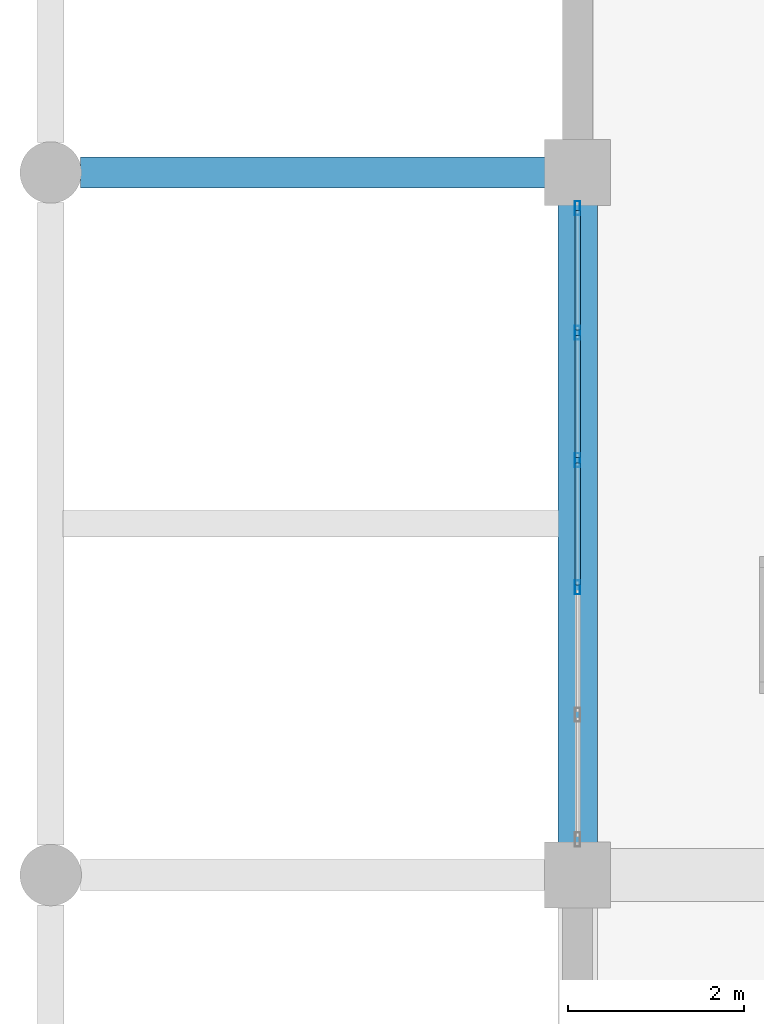
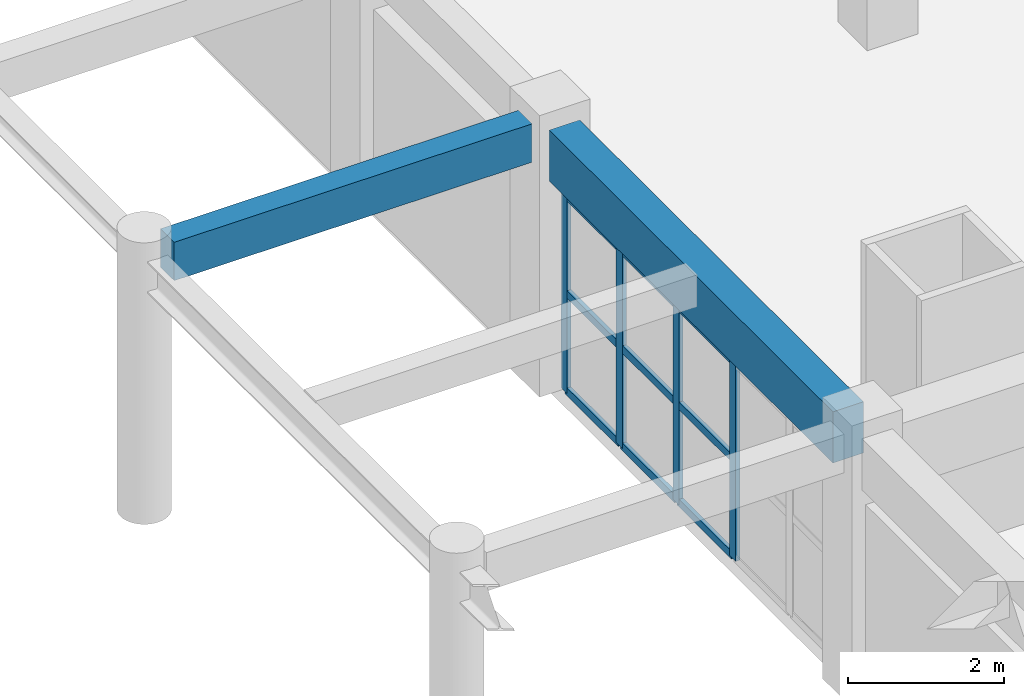
# One storey, part 6 of 116: 13 members, 2 beams, 1 element without a shape of its own.
"""IFC4 building model written with IfcOpenShell, lengths in metres."""

from ifc_helpers import new_model, si_unit, direction, frame, origin, origin_2d, place, context, subcontext, project, spatial, rectangle, hollow_rectangle, extrude, material, layer, layer_set, material_profile, profile_set, type_object, element, aggregate, save


model = new_model("IFC4")

# Units and contexts
model_context = context("Model", 3, precision=1e-05, world=origin(), true_north=direction((0.0, 1.0)))
body_context = subcontext(model_context, "Body", "Model", "MODEL_VIEW")
ifc_project = project(units=[si_unit("LENGTHUNIT", "METRE"), si_unit("AREAUNIT", "SQUARE_METRE"), si_unit("VOLUMEUNIT", "CUBIC_METRE"), si_unit("PLANEANGLEUNIT", "RADIAN"), si_unit("MASSUNIT", "GRAM", prefix="KILO")], contexts=[model_context])

# Site, building, storey
site_placement = place(None, origin())
site = spatial("IfcSite", under=ifc_project, at=site_placement, CompositionType="ELEMENT")
building_placement = place(site_placement, origin())
building = spatial("IfcBuilding", under=site, at=building_placement, Name="Muzn Square Opera House", CompositionType="ELEMENT")
storey_placement = place(building_placement, frame((0.0, 0.0, 5.39990234375)))
storey = spatial("IfcBuildingStorey", under=building, at=storey_placement, Name="L01", CompositionType="ELEMENT", Elevation=5.39990234375)

# Curtain wall, members
ifc_material_1 = material(Name="Low-E laminated acoustic double glazing", Category="glass")
ifc_layer = layer(ifc_material_1, 0.159912109375, Name="Low-E laminated acoustic double glazing", Category="glass")
ifc_layer_set = layer_set([ifc_layer], Name="Low-E laminated acoustic double glazing")
curtain_wall_type = type_object("IfcCurtainWallType", Name="Glazed Curtain Wall WestBlvd 7250x3100", PredefinedType="USERDEFINED", material=ifc_layer_set)
curtain_wall_placement = place(storey_placement, origin())
curtain_wall = element("IfcCurtainWall", 1, at=curtain_wall_placement, inside=storey, type_object=curtain_wall_type, Name="Glazed Curtain Wall CW-L01-139", ObjectType="GLAZED CURTAIN WALL", PredefinedType="USERDEFINED")
ifc_material_2 = material(Name="Anodised bronze aluminium 6063-T6", Category="metal")
ifc_material_profile_1 = material_profile(ifc_material_2, hollow_rectangle(XDim=0.06005859375, YDim=0.159912109375, WallThickness=0.00390625, at=origin_2d()), Name="ALU 160x60x4", Category="metal")
ifc_profile_set_1 = profile_set([ifc_material_profile_1], Name="Anodised bronze aluminium 6063-T6")
member_type_1 = type_object("IfcMemberType", Name="Curtain Wall Mullion 160x60", PredefinedType="MULLION", material=ifc_profile_set_1)
member_1_placement = place(storey_placement, frame((6.0, 17.27490234375, 0.0), z_axis=(0.0, 0.0, 1.0), x_axis=(-1.0, 0.0, 0.0)))
member_1 = element("IfcMember", 2, at=member_1_placement, type_object=member_type_1, Name="CW-WBL-72x31 mullion 3", PredefinedType="MULLION", context=body_context, shape_type="SweptSolid", body=[
    extrude(hollow_rectangle(XDim=0.06005859375, YDim=0.159912109375, WallThickness=0.00390625, at=origin_2d()), origin(), (0.0, 0.0, 1.0), 3.10009765625),
])
member_2_placement = place(storey_placement, frame((6.0, 18.72509765625, 0.0), z_axis=(0.0, 0.0, 1.0), x_axis=(-1.0, 0.0, 0.0)))
member_2 = element("IfcMember", 3, at=member_2_placement, type_object=member_type_1, Name="CW-WBL-72x31 mullion 4", PredefinedType="MULLION", context=body_context, shape_type="SweptSolid", body=[
    extrude(hollow_rectangle(XDim=0.06005859375, YDim=0.159912109375, WallThickness=0.00390625, at=origin_2d()), origin(), (0.0, 0.0, 1.0), 3.10009765625),
])
member_3_placement = place(storey_placement, frame((6.0, 20.175048828125, 0.0), z_axis=(0.0, 0.0, 1.0), x_axis=(-1.0, 0.0, 0.0)))
member_3 = element("IfcMember", 4, at=member_3_placement, type_object=member_type_1, Name="CW-WBL-72x31 mullion 5", PredefinedType="MULLION", context=body_context, shape_type="SweptSolid", body=[
    extrude(hollow_rectangle(XDim=0.06005859375, YDim=0.159912109375, WallThickness=0.00390625, at=origin_2d()), origin(), (0.0, 0.0, 1.0), 3.10009765625),
])
member_4_placement = place(storey_placement, frame((6.0, 21.594970703125, 0.0), z_axis=(0.0, 0.0, 1.0), x_axis=(-1.0, 0.0, 0.0)))
member_4 = element("IfcMember", 5, at=member_4_placement, type_object=member_type_1, Name="CW-WBL-72x31 mullion 6", PredefinedType="MULLION", context=body_context, shape_type="SweptSolid", body=[
    extrude(hollow_rectangle(XDim=0.06005859375, YDim=0.159912109375, WallThickness=0.00390625, at=origin_2d()), origin(), (0.0, 0.0, 1.0), 3.10009765625),
])
ifc_material_profile_2 = material_profile(ifc_material_2, hollow_rectangle(XDim=0.06005859375, YDim=0.1201171875, WallThickness=0.00390625, at=origin_2d()), Name="ALU 120x60x4", Category="metal")
ifc_profile_set_2 = profile_set([ifc_material_profile_2], Name="Anodised bronze aluminium 6063-T6")
member_type_2 = type_object("IfcMemberType", Name="Curtain Wall Transom 120x60", PredefinedType="USERDEFINED", material=ifc_profile_set_2)
member_5_placement = place(storey_placement, frame((6.0, 17.304931640625, 0.030029296875), z_axis=(0.0, 1.0, 0.0), x_axis=(-1.0, 0.0, 0.0)))
member_5 = element("IfcMember", 6, at=member_5_placement, type_object=member_type_2, Name="CW-WBL-72x31 transom 3.1", ObjectType="TRANSOM", PredefinedType="USERDEFINED", context=body_context, shape_type="SweptSolid", body=[
    extrude(hollow_rectangle(XDim=0.06005859375, YDim=0.1201171875, WallThickness=0.00390625, at=origin_2d()), origin(), (0.0, 0.0, 1.0), 1.39013671875),
])
member_6_placement = place(storey_placement, frame((6.0, 17.304931640625, 1.550048828125), z_axis=(0.0, 1.0, 0.0), x_axis=(-1.0, 0.0, 0.0)))
member_6 = element("IfcMember", 7, at=member_6_placement, type_object=member_type_2, Name="CW-WBL-72x31 transom 3.2", ObjectType="TRANSOM", PredefinedType="USERDEFINED", context=body_context, shape_type="SweptSolid", body=[
    extrude(hollow_rectangle(XDim=0.06005859375, YDim=0.1201171875, WallThickness=0.00390625, at=origin_2d()), origin(), (0.0, 0.0, 1.0), 1.39013671875),
])
member_7_placement = place(storey_placement, frame((6.0, 17.304931640625, 3.070068359375), z_axis=(0.0, 1.0, 0.0), x_axis=(-1.0, 0.0, 0.0)))
member_7 = element("IfcMember", 8, at=member_7_placement, type_object=member_type_2, Name="CW-WBL-72x31 transom 3.3", ObjectType="TRANSOM", PredefinedType="USERDEFINED", context=body_context, shape_type="SweptSolid", body=[
    extrude(hollow_rectangle(XDim=0.06005859375, YDim=0.1201171875, WallThickness=0.00390625, at=origin_2d()), origin(), (0.0, 0.0, 1.0), 1.39013671875),
])
member_8_placement = place(storey_placement, frame((6.0, 18.7548828125, 0.030029296875), z_axis=(0.0, 1.0, 0.0), x_axis=(-1.0, 0.0, 0.0)))
member_8 = element("IfcMember", 9, at=member_8_placement, type_object=member_type_2, Name="CW-WBL-72x31 transom 4.1", ObjectType="TRANSOM", PredefinedType="USERDEFINED", context=body_context, shape_type="SweptSolid", body=[
    extrude(hollow_rectangle(XDim=0.06005859375, YDim=0.1201171875, WallThickness=0.00390625, at=origin_2d()), origin(), (0.0, 0.0, 1.0), 1.39013671875),
])
member_9_placement = place(storey_placement, frame((6.0, 18.7548828125, 1.550048828125), z_axis=(0.0, 1.0, 0.0), x_axis=(-1.0, 0.0, 0.0)))
member_9 = element("IfcMember", 10, at=member_9_placement, type_object=member_type_2, Name="CW-WBL-72x31 transom 4.2", ObjectType="TRANSOM", PredefinedType="USERDEFINED", context=body_context, shape_type="SweptSolid", body=[
    extrude(hollow_rectangle(XDim=0.06005859375, YDim=0.1201171875, WallThickness=0.00390625, at=origin_2d()), origin(), (0.0, 0.0, 1.0), 1.39013671875),
])
member_10_placement = place(storey_placement, frame((6.0, 18.7548828125, 3.070068359375), z_axis=(0.0, 1.0, 0.0), x_axis=(-1.0, 0.0, 0.0)))
member_10 = element("IfcMember", 11, at=member_10_placement, type_object=member_type_2, Name="CW-WBL-72x31 transom 4.3", ObjectType="TRANSOM", PredefinedType="USERDEFINED", context=body_context, shape_type="SweptSolid", body=[
    extrude(hollow_rectangle(XDim=0.06005859375, YDim=0.1201171875, WallThickness=0.00390625, at=origin_2d()), origin(), (0.0, 0.0, 1.0), 1.39013671875),
])
member_11_placement = place(storey_placement, frame((6.0, 20.205078125, 0.030029296875), z_axis=(0.0, 1.0, 0.0), x_axis=(-1.0, 0.0, 0.0)))
member_11 = element("IfcMember", 12, at=member_11_placement, type_object=member_type_2, Name="CW-WBL-72x31 transom 5.1", ObjectType="TRANSOM", PredefinedType="USERDEFINED", context=body_context, shape_type="SweptSolid", body=[
    extrude(hollow_rectangle(XDim=0.06005859375, YDim=0.1201171875, WallThickness=0.00390625, at=origin_2d()), origin(), (0.0, 0.0, 1.0), 1.35986328125),
])
member_12_placement = place(storey_placement, frame((6.0, 20.205078125, 1.550048828125), z_axis=(0.0, 1.0, 0.0), x_axis=(-1.0, 0.0, 0.0)))
member_12 = element("IfcMember", 13, at=member_12_placement, type_object=member_type_2, Name="CW-WBL-72x31 transom 5.2", ObjectType="TRANSOM", PredefinedType="USERDEFINED", context=body_context, shape_type="SweptSolid", body=[
    extrude(hollow_rectangle(XDim=0.06005859375, YDim=0.1201171875, WallThickness=0.00390625, at=origin_2d()), origin(), (0.0, 0.0, 1.0), 1.35986328125),
])
member_13_placement = place(storey_placement, frame((6.0, 20.205078125, 3.070068359375), z_axis=(0.0, 1.0, 0.0), x_axis=(-1.0, 0.0, 0.0)))
member_13 = element("IfcMember", 14, at=member_13_placement, type_object=member_type_2, Name="CW-WBL-72x31 transom 5.3", ObjectType="TRANSOM", PredefinedType="USERDEFINED", context=body_context, shape_type="SweptSolid", body=[
    extrude(hollow_rectangle(XDim=0.06005859375, YDim=0.1201171875, WallThickness=0.00390625, at=origin_2d()), origin(), (0.0, 0.0, 1.0), 1.35986328125),
])
aggregate(curtain_wall, [member_1, member_2, member_3, member_4, member_5, member_6, member_7, member_8, member_9, member_10, member_11, member_12, member_13])

# Beams
ifc_material_3 = material(Name="Concrete C40/50", Category="concrete")
ifc_material_profile_3 = material_profile(ifc_material_3, rectangle(XDim=0.35009765625, YDim=0.60009765625, at=origin_2d()), Name="RCB 350x600", Category="concrete")
ifc_profile_set_3 = profile_set([ifc_material_profile_3], Name="Concrete C40/50")
beam_type_1 = type_object("IfcBeamType", Name="Primary Girder 350x600", PredefinedType="BEAM", material=ifc_profile_set_3)
beam_1_placement = place(storey_placement, frame((0.342041015625, 22.0, 3.85009765625), z_axis=(1.0, 0.0, 0.0), x_axis=(0.0, 1.0, 0.0)))
element("IfcBeam", 15, at=beam_1_placement, inside=storey, type_object=beam_type_1, Name="Primary Girder BM-L01-BM-PG600-3_220_56_220-1275", PredefinedType="BEAM", context=body_context, shape_type="SweptSolid", body=[
    extrude(rectangle(XDim=0.35009765625, YDim=0.60009765625, at=origin_2d()), origin(), (0.0, 0.0, 1.0), 5.291015625),
])
ifc_material_profile_4 = material_profile(ifc_material_3, rectangle(XDim=0.449951171875, YDim=0.800048828125, at=origin_2d()), Name="RCB 450x800", Category="concrete")
ifc_profile_set_4 = profile_set([ifc_material_profile_4], Name="Concrete C40/50")
beam_type_2 = type_object("IfcBeamType", Name="Primary Girder 450x800", PredefinedType="BEAM", material=ifc_profile_set_4)
beam_2_placement = place(storey_placement, frame((6.0, 14.366943359375, 3.72021484375), z_axis=(0.0, 1.0, 0.0), x_axis=(-1.0, 0.0, 0.0)))
element("IfcBeam", 16, at=beam_2_placement, inside=storey, type_object=beam_type_2, Name="Primary Girder BM-L01-BM-PG800-60_144_60_216-1527", PredefinedType="BEAM", context=body_context, shape_type="SweptSolid", body=[
    extrude(rectangle(XDim=0.449951171875, YDim=0.800048828125, at=origin_2d()), origin(), (0.0, 0.0, 1.0), 7.26611328125),
])

save(model, "model.ifc")
